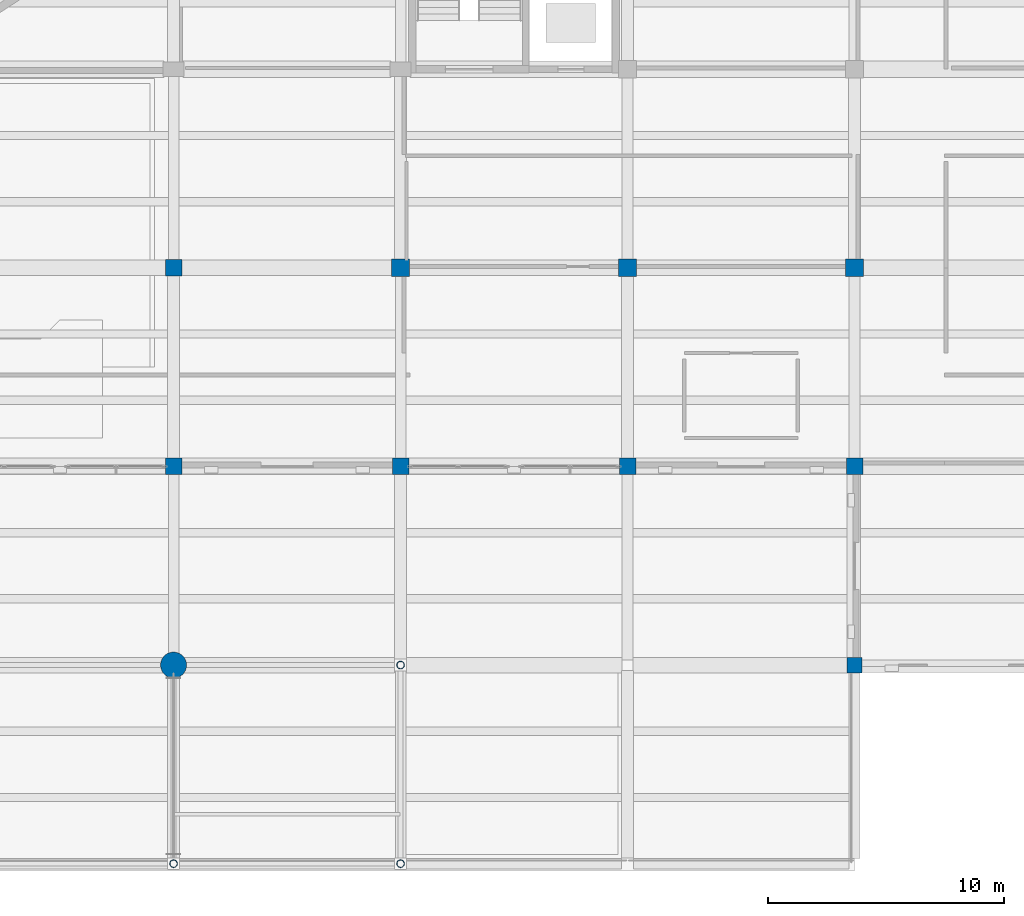
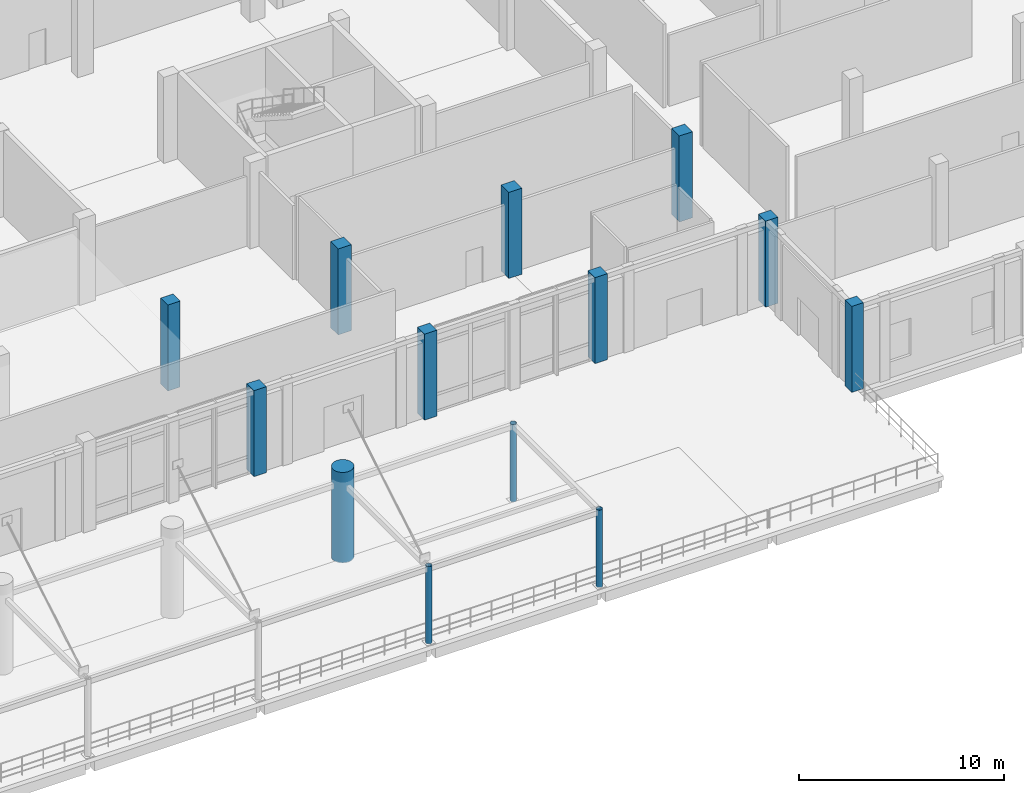
# One storey, part 8 of 71: 13 columns.
"""IFC4 building model written with IfcOpenShell, lengths in metres."""

from ifc_helpers import new_model, si_unit, direction, frame, origin, origin_2d, place, context, subcontext, project, spatial, rectangle, circle, hollow_circle, extrude, material, material_profile, profile_set, type_object, element, save


model = new_model("IFC4")

# Units and contexts
model_context = context("Model", 3, precision=1e-05, world=origin(), true_north=direction((0.0, 1.0)))
body_context = subcontext(model_context, "Body", "Model", "MODEL_VIEW")
ifc_project = project(units=[si_unit("LENGTHUNIT", "METRE"), si_unit("AREAUNIT", "SQUARE_METRE"), si_unit("VOLUMEUNIT", "CUBIC_METRE"), si_unit("PLANEANGLEUNIT", "RADIAN"), si_unit("MASSUNIT", "GRAM", prefix="KILO")], contexts=[model_context])

# Site, building, storey
site_placement = place(None, origin())
site = spatial("IfcSite", under=ifc_project, at=site_placement, CompositionType="ELEMENT")
building_placement = place(site_placement, origin())
building = spatial("IfcBuilding", under=site, at=building_placement, Name="Lornevale Opera House", CompositionType="ELEMENT")
storey_placement = place(building_placement, origin())
storey = spatial("IfcBuildingStorey", under=building, at=storey_placement, Name="L01", CompositionType="ELEMENT", Elevation=0.0)

# Columns
ifc_material_1 = material(Name="Concrete 40 MPa (CSA A23.1 C-1)", Category="concrete")
ifc_material_profile_1 = material_profile(ifc_material_1, rectangle(XDim=0.64990234375, YDim=0.64990234375, at=origin_2d()), Name="RC650x650")
ifc_profile_set_1 = profile_set([ifc_material_profile_1], Name="Concrete 40 MPa (CSA A23.1 C-1)")
column_type_1 = type_object("IfcColumnType", Name="Concrete Column 650x650", PredefinedType="COLUMN", material=ifc_profile_set_1)
column_1_placement = place(storey_placement, frame((124.800048828125, 8.39990234375, 0.0), z_axis=(0.0, 0.0, 1.0), x_axis=(1.0, 0.0, 0.0)))
element("IfcColumn", 1, at=column_1_placement, inside=storey, type_object=column_type_1, Name="Concrete Column 650x650 0836", PredefinedType="COLUMN", context=body_context, shape_type="SweptSolid", body=[
    extrude(rectangle(XDim=0.64990234375, YDim=0.64990234375, at=origin_2d()), origin(), (0.0, 0.0, 1.0), 5.1201171875),
])
ifc_material_profile_2 = material_profile(ifc_material_1, rectangle(XDim=0.699951171875, YDim=0.699951171875, at=origin_2d()), Name="RC700x700")
ifc_profile_set_2 = profile_set([ifc_material_profile_2], Name="Concrete 40 MPa (CSA A23.1 C-1)")
column_type_2 = type_object("IfcColumnType", Name="Concrete Column 700x700", PredefinedType="COLUMN", material=ifc_profile_set_2)
for number, where, z_axis, x_axis, name in (
    (2, (96.0, 16.800048828125, 0.0), (0.0, 0.0, 1.0), (1.0, 0.0, 0.0), "Concrete Column 700x700 0605"),
    (3, (96.0, 25.199951171875, 0.0), (0.0, 0.0, 1.0), (1.0, 0.0, 0.0), "Concrete Column 700x700 0610"),
    (4, (105.60009765625, 16.800048828125, 0.0), (0.0, 0.0, 1.0), (1.0, 0.0, 0.0), "Concrete Column 700x700 0685"),
    (5, (115.199951171875, 16.800048828125, 0.0), (0.0, 0.0, 1.0), (1.0, 0.0, 0.0), "Concrete Column 700x700 0760"),
    (6, (124.800048828125, 16.800048828125, 0.0), (0.0, 0.0, 1.0), (1.0, 0.0, 0.0), "Concrete Column 700x700 0840"),
):
    element("IfcColumn", number, at=place(storey_placement, frame(where, z_axis=z_axis, x_axis=x_axis)), inside=storey, type_object=column_type_2, Name=name, PredefinedType="COLUMN", context=body_context, shape_type="SweptSolid", body=[
        extrude(rectangle(XDim=0.699951171875, YDim=0.699951171875, at=origin_2d()), origin(), (0.0, 0.0, 1.0), 5.1201171875),
    ])
ifc_material_profile_3 = material_profile(ifc_material_1, rectangle(XDim=0.75, YDim=0.75, at=origin_2d()), Name="RC750x750")
ifc_profile_set_3 = profile_set([ifc_material_profile_3], Name="Concrete 40 MPa (CSA A23.1 C-1)")
column_type_3 = type_object("IfcColumnType", Name="Concrete Column 750x750", PredefinedType="COLUMN", material=ifc_profile_set_3)
for number, where, z_axis, x_axis, name in (
    (7, (105.60009765625, 25.199951171875, 0.0), (0.0, 0.0, 1.0), (1.0, 0.0, 0.0), "Concrete Column 750x750 0690"),
    (8, (115.199951171875, 25.199951171875, 0.0), (0.0, 0.0, 1.0), (1.0, 0.0, 0.0), "Concrete Column 750x750 0765"),
    (9, (124.800048828125, 25.199951171875, 0.0), (0.0, 0.0, 1.0), (1.0, 0.0, 0.0), "Concrete Column 750x750 0845"),
):
    element("IfcColumn", number, at=place(storey_placement, frame(where, z_axis=z_axis, x_axis=x_axis)), inside=storey, type_object=column_type_3, Name=name, PredefinedType="COLUMN", context=body_context, shape_type="SweptSolid", body=[
        extrude(rectangle(XDim=0.75, YDim=0.75, at=origin_2d()), origin(), (0.0, 0.0, 1.0), 5.1201171875),
    ])
ifc_material_2 = material(Name="Structural Steel CSA G40.21 Grade 350W (350 MPa)", Category="steel")
ifc_material_profile_4 = material_profile(ifc_material_2, hollow_circle(Radius=0.162109375, WallThickness=0.0126953125, at=origin_2d()), Name="HSS324x13")
ifc_profile_set_4 = profile_set([ifc_material_profile_4], Name="Structural Steel CSA G40.21 Grade 350W (350 MPa)")
column_type_4 = type_object("IfcColumnType", Name="Portico Canopy Mast HSS324x13", PredefinedType="COLUMN", material=ifc_profile_set_4)
for number, where, z_axis, x_axis, name in (
    (10, (96.0, 0.0, 0.0), (0.0, 0.0, 1.0), (1.0, 0.0, 0.0), "Portico Canopy Mast HSS324x13 1118"),
    (11, (105.60009765625, 0.0, 0.0), (0.0, 0.0, 1.0), (1.0, 0.0, 0.0), "Portico Canopy Mast HSS324x13 1119"),
    (12, (105.60009765625, 8.39990234375, 0.0), (0.0, 0.0, 1.0), (1.0, 0.0, 0.0), "Portico Canopy Rear Mast HSS324x13 1121"),
):
    element("IfcColumn", number, at=place(storey_placement, frame(where, z_axis=z_axis, x_axis=x_axis)), inside=storey, type_object=column_type_4, Name=name, PredefinedType="COLUMN", context=body_context, shape_type="SweptSolid", body=[
        extrude(hollow_circle(Radius=0.162109375, WallThickness=0.0126953125, at=origin_2d()), origin(), (0.0, 0.0, 1.0), 4.610107421875),
    ])
ifc_material_3 = material(Name="Precast Concrete 40 MPa (CSA A23.1 C-1)", Category="concrete")
ifc_material_profile_5 = material_profile(ifc_material_3, circle(Radius=0.550048828125, at=origin_2d()), Name="RCCOL1100")
ifc_profile_set_5 = profile_set([ifc_material_profile_5], Name="Precast Concrete 40 MPa (CSA A23.1 C-1)")
column_type_5 = type_object("IfcColumnType", Name="Postmodern Portico Column D1100", PredefinedType="COLUMN", material=ifc_profile_set_5)
column_2_placement = place(storey_placement, frame((96.0, 8.39990234375, 0.0), z_axis=(0.0, 0.0, 1.0), x_axis=(1.0, 0.0, 0.0)))
element("IfcColumn", 13, at=column_2_placement, inside=storey, type_object=column_type_5, Name="Postmodern Portico Column D1100 0600", PredefinedType="COLUMN", context=body_context, shape_type="SweptSolid", body=[
    extrude(circle(Radius=0.550048828125, at=origin_2d()), origin(), (0.0, 0.0, 1.0), 5.39990234375),
])

save(model, "model.ifc")
